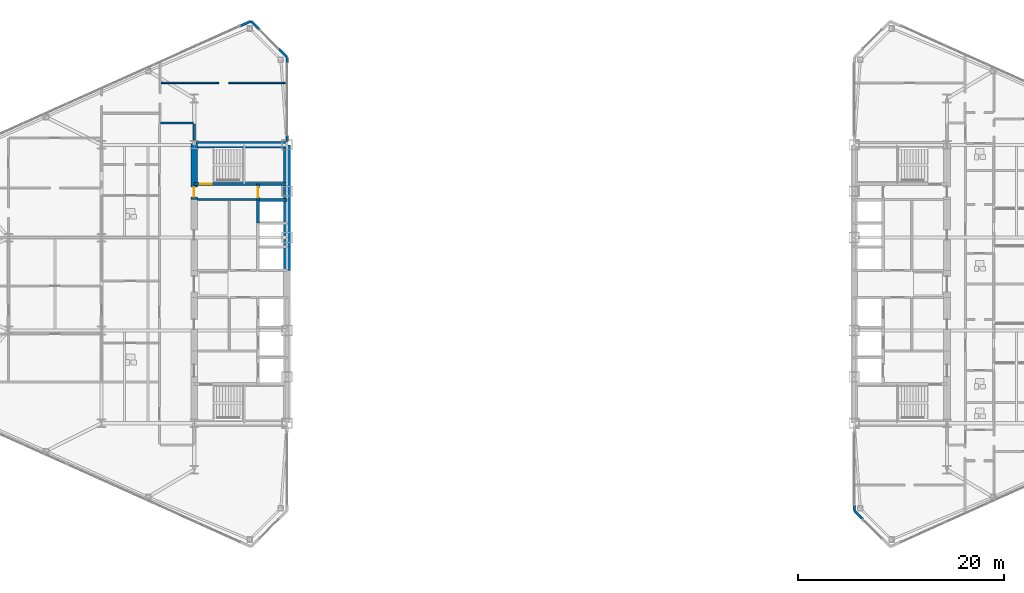
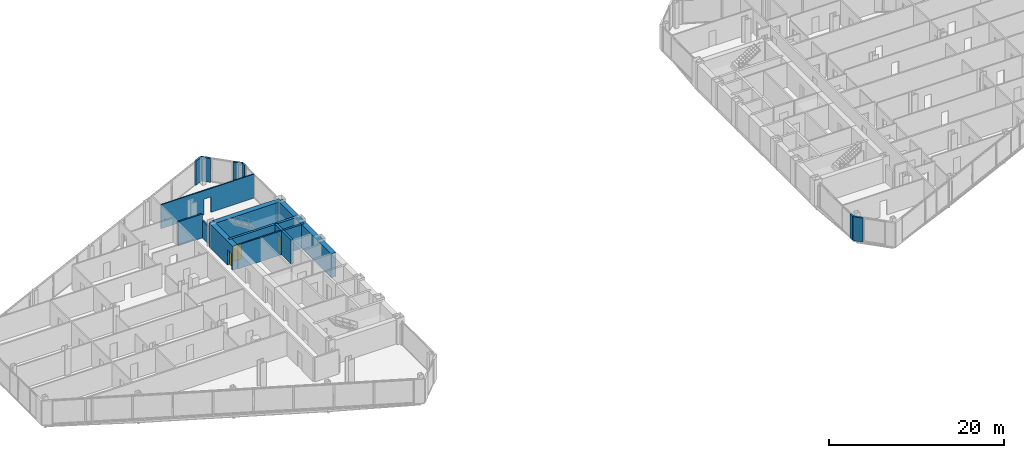
# One storey, part 21 of 27: 18 walls, 3 doors, 4 openings.
"""IFC4 building model written with IfcOpenShell, lengths in metres."""

from ifc_helpers import new_model, si_unit, direction, frame, frame_2d, origin, place, context, subcontext, project, spatial, rectangle, extrude, source, transform, mapped, material, layer, layer_set, type_object, type_shapes, element, fill, save


model = new_model("IFC4")

# Units and contexts
model_context = context("Model", 3, precision=1e-05, world=origin(), true_north=direction((0.0, 1.0)))
body_context = subcontext(model_context, "Body", "Model", "MODEL_VIEW")
ifc_project = project(units=[si_unit("LENGTHUNIT", "METRE"), si_unit("AREAUNIT", "SQUARE_METRE"), si_unit("VOLUMEUNIT", "CUBIC_METRE"), si_unit("PLANEANGLEUNIT", "RADIAN"), si_unit("MASSUNIT", "GRAM", prefix="KILO")], contexts=[model_context])

# Site, building, storey
site_placement = place(None, origin())
site = spatial("IfcSite", under=ifc_project, at=site_placement, CompositionType="ELEMENT")
building_placement = place(site_placement, origin())
building = spatial("IfcBuilding", under=site, at=building_placement, Name="Seokmaru Belvedere", CompositionType="ELEMENT")
storey_placement = place(building_placement, frame((0.0, 0.0, 83.699951171875)))
storey = spatial("IfcBuildingStorey", under=building, at=storey_placement, Name="L22", CompositionType="ELEMENT", Elevation=83.699951171875)

# Wall, opening
ifc_material_1 = material(Name="Fire-Rated Gypsum Shaftwall")
ifc_layer_1 = layer(ifc_material_1, 0.14990234375)
ifc_layer_set_1 = layer_set([ifc_layer_1], Name="Fire-Rated Gypsum Shaftwall")
wall_type_1 = type_object("IfcWallType", Name="Apartment Fire-Acoustic Room Partition 150", PredefinedType="PARTITIONING", material=ifc_layer_set_1)
wall_1_placement = place(storey_placement, frame((-39.75, 19.5, 0.0), z_axis=(0.0, 0.0, 1.0), x_axis=(1.0, 0.0, 0.0)))
wall_1 = element("IfcWall", 1, at=wall_1_placement, inside=storey, type_object=wall_type_1, Name="L22 Interior Partition 034", PredefinedType="PARTITIONING", context=body_context, shape_type="SweptSolid", body=[
    extrude(rectangle(XDim=12.284912109375, YDim=0.14990234375, at=frame_2d((6.142578125, 0.0))), origin(), (0.0, 0.0, 1.0), 3.340087890625),
])
opening_1_placement = place(wall_1_placement, frame((5.625, 0.0, 0.0)))
element("IfcOpeningElement", 2, at=opening_1_placement, cuts=wall_1, Name="L22 Cased Opening 025", PredefinedType="OPENING", context=body_context, shape_type="SweptSolid", body=[
    extrude(rectangle(XDim=0.949951171875, YDim=2.14990234375, at=frame_2d((0.47509765625, 1.074951171875))), frame((0.0, 0.0849609375, 0.0), z_axis=(0.0, -1.0, 0.0), x_axis=(1.0, 0.0, 0.0)), (0.0, 0.0, 1.0), 0.169921875),
])

# Walls
ifc_layer_2 = layer(ifc_material_1, 0.179931640625)
ifc_layer_set_2 = layer_set([ifc_layer_2], Name="Fire-Rated Gypsum Shaftwall")
wall_type_2 = type_object("IfcWallType", Name="Core Service Fire Partition 180", PredefinedType="PARTITIONING", material=ifc_layer_set_2)
wall_2_placement = place(storey_placement, frame((-36.14990234375, 8.199951171875, 0.0), z_axis=(0.0, 0.0, 1.0), x_axis=(1.0, 0.0, 0.0)))
element("IfcWall", 3, at=wall_2_placement, inside=storey, type_object=wall_type_2, Name="L22 West Smokeproof Vestibule Partition", PredefinedType="PARTITIONING", context=body_context, shape_type="SweptSolid", body=[
    extrude(rectangle(XDim=5.699951171875, YDim=0.179931640625, at=frame_2d((2.85009765625, 0.0))), origin(), (0.0, 0.0, 1.0), 3.340087890625),
])
ifc_material_2 = material(Name="Concrete C50 (50 MPa)", Category="concrete")
ifc_layer_3 = layer(ifc_material_2, 0.25)
ifc_layer_set_3 = layer_set([ifc_layer_3], Name="Concrete C50 (50 MPa)")
wall_type_3 = type_object("IfcWallType", Name="Hoistway Transverse Concrete Divider Wall 250", PredefinedType="SHEAR", material=ifc_layer_set_3)
wall_3_placement = place(storey_placement, frame((-30.300048828125, 8.14990234375, 0.0), z_axis=(0.0, 0.0, 1.0), x_axis=(1.0, 0.0, 0.0)))
element("IfcWall", 4, at=wall_3_placement, inside=storey, type_object=wall_type_3, Name="L22 West Hoistway Divider Core Wall 7", PredefinedType="SHEAR", context=body_context, shape_type="SweptSolid", body=[
    extrude(rectangle(XDim=2.800048828125, YDim=0.25, at=frame_2d((1.39990234375, 0.0))), origin(), (0.0, 0.0, 1.0), 3.340087890625),
])
ifc_layer_4 = layer(ifc_material_1, 0.199951171875)
ifc_layer_set_4 = layer_set([ifc_layer_4], Name="Fire-Rated Gypsum Shaftwall")
wall_type_4 = type_object("IfcWallType", Name="Inter-Tenancy Fire Compartment Partition 200", PredefinedType="PARTITIONING", material=ifc_layer_set_4)
wall_4_placement = place(storey_placement, frame((-39.764892578125, 15.60009765625, 0.0), z_axis=(0.0, 0.0, 1.0), x_axis=(1.0, 0.0, 0.0)))
element("IfcWall", 5, at=wall_4_placement, inside=storey, type_object=wall_type_4, Name="L22 Interior Partition 029", PredefinedType="PARTITIONING", context=body_context, shape_type="SweptSolid", body=[
    extrude(rectangle(XDim=3.179931640625, YDim=0.199951171875, at=frame_2d((1.58984375, 0.0))), origin(), (0.0, 0.0, 1.0), 3.340087890625),
])
wall_5_placement = place(storey_placement, frame((-36.5, 13.830078125, 0.0), z_axis=(0.0, 0.0, 1.0), x_axis=(0.0, 1.0, 0.0)))
element("IfcWall", 6, at=wall_5_placement, inside=storey, type_object=wall_type_4, Name="L22 Interior Partition 044", PredefinedType="PARTITIONING", context=body_context, shape_type="SweptSolid", body=[
    extrude(rectangle(XDim=1.684814453125, YDim=0.199951171875, at=frame_2d((0.84228515625, 0.0))), origin(), (0.0, 0.0, 1.0), 2.43994140625),
])

# Wall, opening, door
ifc_layer_5 = layer(ifc_material_2, 0.300048828125)
ifc_layer_set_5 = layer_set([ifc_layer_5], Name="Concrete C50 (50 MPa)")
wall_type_5 = type_object("IfcWallType", Name="Internal Core Stair and Hoistway Wall 300", PredefinedType="SHEAR", material=ifc_layer_set_5)
wall_6_placement = place(storey_placement, frame((-36.5, 9.699951171875, 0.0), z_axis=(0.0, 0.0, 1.0), x_axis=(1.0, 0.0, 0.0)))
wall_6 = element("IfcWall", 7, at=wall_6_placement, inside=storey, type_object=wall_type_5, Name="L22 West Stair ST-2 Enclosure Wall", PredefinedType="SHEAR", context=body_context, shape_type="SweptSolid", body=[
    extrude(rectangle(XDim=9.0, YDim=0.300048828125, at=frame_2d((4.5, 0.0))), origin(), (0.0, 0.0, 1.0), 3.340087890625),
])
opening_2_placement = place(wall_6_placement, frame((0.60009765625, 0.0, 0.0)))
opening_2 = element("IfcOpeningElement", 8, at=opening_2_placement, cuts=wall_6, Name="Opening D01", PredefinedType="OPENING", context=body_context, shape_type="SweptSolid", body=[
    extrude(rectangle(XDim=1.10009765625, YDim=2.199951171875, at=frame_2d((0.550048828125, 1.10009765625))), frame((0.0, 0.16015625, 0.0), z_axis=(0.0, -1.0, 0.0), x_axis=(1.0, 0.0, 0.0)), (0.0, 0.0, 1.0), 0.320068359375),
])
ifc_material_3 = material(Name="Fire-Rated Steel Leaf", Category="steel")
door_type_1 = type_object("IfcDoorType", Name="Special Escape Stair Smokeproof Fire Door 1100x2200", OperationType="NOTDEFINED", PredefinedType="DOOR", material=ifc_material_3)
shared_shape_1 = source(origin(), body_context, "Body", "SweptSolid", [
    extrude(rectangle(XDim=1.10009765625, YDim=2.199951171875, at=frame_2d((0.550048828125, 1.10009765625))), frame((0.0, 0.02490234375, 0.0), z_axis=(0.0, -1.0, 0.0), x_axis=(1.0, 0.0, 0.0)), (0.0, 0.0, 1.0), 0.050048828125),
])
type_shapes(door_type_1, [shared_shape_1])
door_1_placement = place(opening_2_placement, origin())
door_1 = element("IfcDoor", 9, at=door_1_placement, inside=storey, type_object=door_type_1, Name="L22 West Special Escape Stair ST-2 Door", OperationType="SINGLE_SWING_RIGHT", OverallHeight=2.199951171875, OverallWidth=1.10009765625, PredefinedType="DOOR", context=body_context, shape_type="MappedRepresentation", body=[
    mapped(shared_shape_1, transform((0.0, 0.0, 0.0), scale=1.0)),
])
fill(opening_2, door_1)

# Wall
wall_7_placement = place(storey_placement, frame((-30.300048828125, 5.89990234375, 0.0), z_axis=(0.0, 0.0, 1.0), x_axis=(0.0, 1.0, 0.0)))
element("IfcWall", 10, at=wall_7_placement, inside=storey, type_object=wall_type_5, Name="L22 West North Hoistway Wall OBS", PredefinedType="SHEAR", context=body_context, shape_type="SweptSolid", body=[
    extrude(rectangle(XDim=2.25, YDim=0.300048828125, at=frame_2d((1.125, 0.0))), origin(), (0.0, 0.0, 1.0), 3.340087890625),
])

# Wall, opening, door
wall_8_placement = place(storey_placement, frame((-30.300048828125, 8.14990234375, 0.0), z_axis=(0.0, 0.0, 1.0), x_axis=(0.0, 1.0, 0.0)))
wall_8 = element("IfcWall", 11, at=wall_8_placement, inside=storey, type_object=wall_type_5, Name="L22 West Electrical Riser Front Wall", PredefinedType="SHEAR", context=body_context, shape_type="SweptSolid", body=[
    extrude(rectangle(XDim=1.530029296875, YDim=0.300048828125, at=frame_2d((0.76513671875, 0.0))), origin(), (0.0, 0.0, 1.0), 3.340087890625),
])
opening_3_placement = place(wall_8_placement, frame((0.284912109375, 0.0, 0.0)))
opening_3 = element("IfcOpeningElement", 12, at=opening_3_placement, cuts=wall_8, Name="Opening D04", PredefinedType="OPENING", context=body_context, shape_type="SweptSolid", body=[
    extrude(rectangle(XDim=0.949951171875, YDim=2.14990234375, at=frame_2d((0.47509765625, 1.074951171875))), frame((0.0, 0.16015625, 0.0), z_axis=(0.0, -1.0, 0.0), x_axis=(1.0, 0.0, 0.0)), (0.0, 0.0, 1.0), 0.320068359375),
])
door_type_2 = type_object("IfcDoorType", Name="Core Service Room Fire Door 950x2150", OperationType="NOTDEFINED", PredefinedType="DOOR", material=ifc_material_3)
shared_shape_2 = source(origin(), body_context, "Body", "SweptSolid", [
    extrude(rectangle(XDim=0.949951171875, YDim=2.14990234375, at=frame_2d((0.47509765625, 1.074951171875))), frame((0.0, 0.02490234375, 0.0), z_axis=(0.0, -1.0, 0.0), x_axis=(1.0, 0.0, 0.0)), (0.0, 0.0, 1.0), 0.050048828125),
])
type_shapes(door_type_2, [shared_shape_2])
door_2_placement = place(opening_3_placement, origin())
door_2 = element("IfcDoor", 13, at=door_2_placement, inside=storey, type_object=door_type_2, Name="L22 West Electrical Riser Access Door", OperationType="SINGLE_SWING_LEFT", OverallHeight=2.14990234375, OverallWidth=0.949951171875, PredefinedType="DOOR", context=body_context, shape_type="MappedRepresentation", body=[
    mapped(shared_shape_2, transform((0.0, 0.0, 0.0), scale=1.0)),
])
fill(opening_3, door_2)

# Walls
ifc_material_4 = material(Name="Concrete C60 (60 MPa)", Category="concrete")
ifc_layer_6 = layer(ifc_material_4, 0.64990234375)
ifc_layer_set_6 = layer_set([ifc_layer_6], Name="Concrete C60 (60 MPa)")
wall_type_6 = type_object("IfcWallType", Name="Mid-Low Reinforced Concrete Core Wall 650", PredefinedType="SHEAR", material=ifc_layer_set_6)
wall_9_placement = place(storey_placement, frame((-27.5, 1.300048828125, 0.0), z_axis=(0.0, 0.0, 1.0), x_axis=(0.0, 1.0, 0.0)))
element("IfcWall", 14, at=wall_9_placement, inside=storey, type_object=wall_type_6, Name="L22 West Portal Spine Core Wall North", PredefinedType="SHEAR", context=body_context, shape_type="SweptSolid", body=[
    extrude(rectangle(XDim=12.199951171875, YDim=0.64990234375, at=frame_2d((6.10009765625, 0.0))), origin(), (0.0, 0.0, 1.0), 3.340087890625),
])
wall_10_placement = place(storey_placement, frame((-36.5, 13.5, 0.0), z_axis=(0.0, 0.0, 1.0), x_axis=(1.0, 0.0, 0.0)))
element("IfcWall", 15, at=wall_10_placement, inside=storey, type_object=wall_type_6, Name="L22 West North Core Wall", PredefinedType="SHEAR", context=body_context, shape_type="SweptSolid", body=[
    extrude(rectangle(XDim=9.0, YDim=0.64990234375, at=frame_2d((4.5, 0.0))), origin(), (0.0, 0.0, 1.0), 3.340087890625),
])

# Wall, opening, door
wall_11_placement = place(storey_placement, frame((-36.5, 8.199951171875, 0.0), z_axis=(0.0, 0.0, 1.0), x_axis=(0.0, 1.0, 0.0)))
wall_11 = element("IfcWall", 16, at=wall_11_placement, inside=storey, type_object=wall_type_6, Name="L22 West West Core Wall VST", PredefinedType="SHEAR", context=body_context, shape_type="SweptSolid", body=[
    extrude(rectangle(XDim=5.449951171875, YDim=0.64990234375, at=frame_2d((2.72509765625, 0.0))), origin(), (0.0, 0.0, 1.0), 3.340087890625),
])
opening_4_placement = place(wall_11_placement, frame((0.2451171875, 0.0, 0.0)))
opening_4 = element("IfcOpeningElement", 17, at=opening_4_placement, cuts=wall_11, Name="Opening D04", PredefinedType="OPENING", context=body_context, shape_type="SweptSolid", body=[
    extrude(rectangle(XDim=0.949951171875, YDim=2.14990234375, at=frame_2d((0.47509765625, 1.074951171875))), frame((0.0, 0.3349609375, 0.0), z_axis=(0.0, -1.0, 0.0), x_axis=(1.0, 0.0, 0.0)), (0.0, 0.0, 1.0), 0.669921875),
])
door_3_placement = place(opening_4_placement, frame((0.949951171875, 0.0, 0.0), z_axis=(0.0, 0.0, 1.0), x_axis=(-1.0, 0.0, 0.0)))
door_3 = element("IfcDoor", 18, at=door_3_placement, inside=storey, type_object=door_type_2, Name="L22 West Smokeproof Vestibule Door", OperationType="SINGLE_SWING_RIGHT", OverallHeight=2.14990234375, OverallWidth=0.949951171875, PredefinedType="DOOR", context=body_context, shape_type="MappedRepresentation", body=[
    mapped(shared_shape_2, transform((0.0, 0.0, 0.0), scale=1.0)),
])
fill(opening_4, door_3)

# Walls
ifc_material_5 = material(Name="Anodised Bronze Aluminium", Category="aluminium")
ifc_layer_7 = layer(ifc_material_5, 0.239990234375)
ifc_layer_set_7 = layer_set([ifc_layer_7], Name="Anodised Bronze Aluminium")
wall_type_7 = type_object("IfcWallType", Name="Tower Corner Spandrel Closure Wall 240", PredefinedType="SOLIDWALL", material=ifc_layer_set_7)
wall_12_placement = place(storey_placement, frame((-27.5, 13.830078125, 0.0), z_axis=(0.0, 0.0, 1.0), x_axis=(0.0, 1.0, 0.0)))
element("IfcWall", 19, at=wall_12_placement, inside=storey, type_object=wall_type_7, Name="L22 W Spine Closure Pier 2A", PredefinedType="SOLIDWALL", context=body_context, shape_type="SweptSolid", body=[
    extrude(rectangle(XDim=0.5498046875, YDim=0.239990234375, at=frame_2d((0.27490234375, 0.0))), origin(), (0.0, 0.0, 1.0), 2.840087890625),
])
wall_13_placement = place(storey_placement, frame((-27.5, 21.429931640625, 0.0), z_axis=(0.0, 0.0, 1.0), x_axis=(0.0, 1.0, 0.0)))
element("IfcWall", 20, at=wall_13_placement, inside=storey, type_object=wall_type_7, Name="L22 W Spine Closure Pier 2B", PredefinedType="SOLIDWALL", context=body_context, shape_type="SweptSolid", body=[
    extrude(rectangle(XDim=0.550048828125, YDim=0.239990234375, at=frame_2d((0.27490234375, 0.0))), origin(), (0.0, 0.0, 1.0), 3.340087890625),
])
for number, where, z_axis, x_axis, name in (
    (21, (-27.507080078125, 22.007080078125, 0.0), (0.0, 0.0, 1.0), (-0.707106781187, 0.707106781187, 0.0), "L22 W Corner Closure Pier 2A"),
    (22, (-30.186767578125, 24.686767578125, 0.0), (0.0, 0.0, 1.0), (-0.707106781187, 0.707106781187, 0.0), "L22 W Corner Closure Pier 2B"),
):
    element("IfcWall", number, at=place(storey_placement, frame(where, z_axis=z_axis, x_axis=x_axis)), inside=storey, type_object=wall_type_7, Name=name, PredefinedType="SOLIDWALL", context=body_context, shape_type="SweptSolid", body=[
        extrude(rectangle(XDim=1.14013671875, YDim=0.239990234375, at=frame_2d((0.570068359375, 0.0))), origin(), (0.0, 0.0, 1.0), 3.340087890625),
    ])
wall_14_placement = place(storey_placement, frame((-31.009033203125, 25.495849609375, 0.0), z_axis=(0.0, 0.0, 1.0), x_axis=(-0.911929519623, -0.410346866979, 0.0)))
element("IfcWall", 23, at=wall_14_placement, inside=storey, type_object=wall_type_7, Name="L22 W Corner Closure Pier 3A", PredefinedType="SOLIDWALL", context=body_context, shape_type="SweptSolid", body=[
    extrude(rectangle(XDim=1.139892578125, YDim=0.239990234375, at=frame_2d((0.56982421875, 0.0))), origin(), (0.0, 0.0, 1.0), 3.340087890625),
])
wall_15_placement = place(storey_placement, frame((27.5, -21.97998046875, 0.0), z_axis=(0.0, 0.0, 1.0), x_axis=(0.0, 1.0, 0.0)))
element("IfcWall", 24, at=wall_15_placement, inside=storey, type_object=wall_type_7, Name="L22 E Spine Closure Pier 1A", PredefinedType="SOLIDWALL", context=body_context, shape_type="SweptSolid", body=[
    extrude(rectangle(XDim=0.550048828125, YDim=0.239990234375, at=frame_2d((0.27490234375, 0.0))), origin(), (0.0, 0.0, 1.0), 3.340087890625),
])
wall_16_placement = place(storey_placement, frame((27.507080078125, -22.007080078125, 0.0), z_axis=(0.0, 0.0, 1.0), x_axis=(0.707106781187, -0.707106781187, 0.0)))
element("IfcWall", 25, at=wall_16_placement, inside=storey, type_object=wall_type_7, Name="L22 E Corner Closure Pier 6A", PredefinedType="SOLIDWALL", context=body_context, shape_type="SweptSolid", body=[
    extrude(rectangle(XDim=1.14013671875, YDim=0.239990234375, at=frame_2d((0.570068359375, 0.0))), origin(), (0.0, 0.0, 1.0), 3.340087890625),
])

save(model, "model.ifc")
